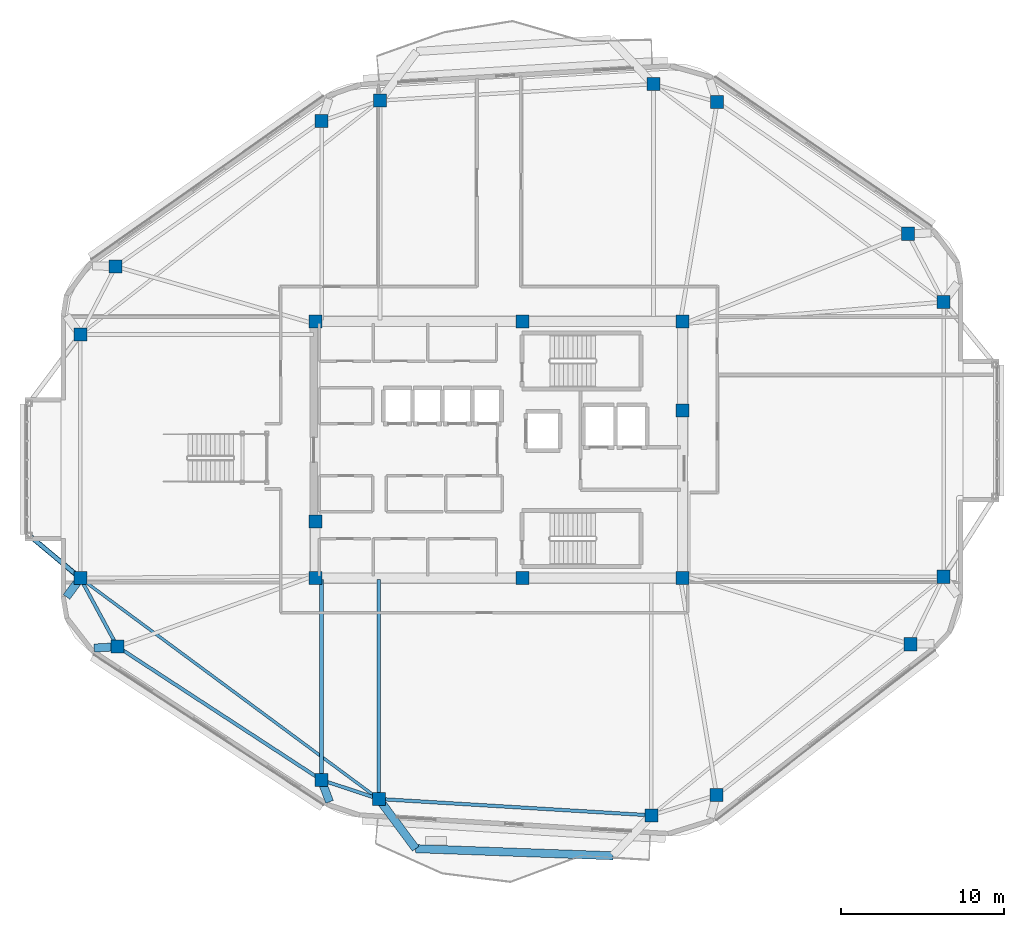
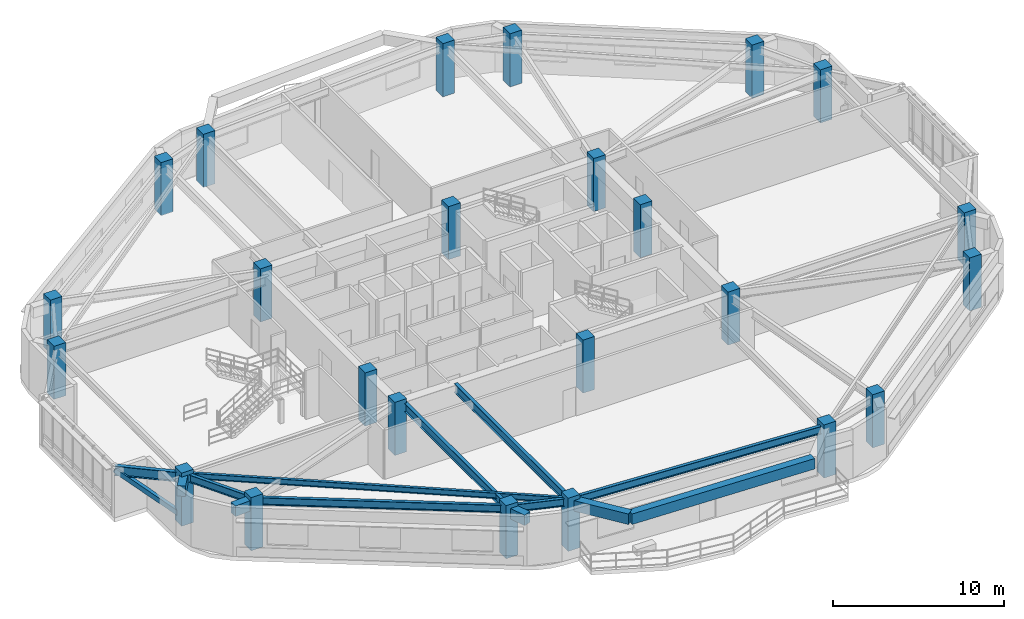
# One storey, part 1 of 18: 24 columns, 13 beams, 1 member.
"""IFC4 building model written with IfcOpenShell, lengths in metres."""

import ifcopenshell
import ifcopenshell.guid

model = None  # the IFC model being written
_history = None  # IfcOwnerHistory: only IFC2X3 demands one
_inside = {}  # id of a spatial element -> (the spatial element, [elements in it])
_under = {}  # id of a project, library or spatial element -> (it, [spatial elements below it])
_declared = {}  # id of a project -> (the project, [libraries it declares])
_typed = {}  # id of a type object -> (the type object, [elements of that type])
_made_of = {}  # id of a material, layer set ... -> (it, [elements and type objects made of it])


def new_model(schema):
    """Start an empty IFC model of exactly this schema.

    Asked for "IFC4X3", IfcOpenShell would pick the latest addendum, in which some entities
    have other attributes; the version numbers below select the first issue.
    IFC2X3 requires an IfcOwnerHistory on every rooted entity: one is made here for all.
    """
    global model, _history
    if schema == "IFC4X3":
        model = ifcopenshell.file(schema_version=(4, 3, 0, 0))
    else:
        model = ifcopenshell.file(schema=schema)
    _inside.clear()
    _under.clear()
    _declared.clear()
    _typed.clear()
    _made_of.clear()
    _history = None
    if model.schema == "IFC2X3":
        org = make("IfcOrganization", Name="unknown")
        user = make(
            "IfcPersonAndOrganization",
            ThePerson=make("IfcPerson", FamilyName="unknown"),
            TheOrganization=org,
        )
        app = make(
            "IfcApplication",
            ApplicationDeveloper=org,
            Version="unknown",
            ApplicationFullName="unknown",
            ApplicationIdentifier="unknown",
        )
        _history = make(
            "IfcOwnerHistory",
            OwningUser=user,
            OwningApplication=app,
            ChangeAction="ADDED",
            CreationDate=0,
        )
    return model


def make(cls, **values):
    """One entity of the class cls with the attributes given. An attribute that is None is left unset."""
    return model.create_entity(
        cls, **{name: value for name, value in values.items() if value is not None}
    )


def rooted(cls, **values):
    """An entity with a GlobalId (a new one), such as an element, a storey or a relation."""
    return make(cls, GlobalId=ifcopenshell.guid.new(), OwnerHistory=_history, **values)


def si_unit(unit_type, name, prefix=None):
    """IfcSIUnit, for example si_unit("LENGTHUNIT", "METRE", prefix="MILLI")."""
    return make("IfcSIUnit", UnitType=unit_type, Prefix=prefix, Name=name)


def assignment(units):
    """IfcUnitAssignment: the units of a project."""
    return None if units is None else make("IfcUnitAssignment", Units=units)


def point(xyz):
    """IfcCartesianPoint."""
    return None if xyz is None else make("IfcCartesianPoint", Coordinates=xyz)


def direction(xyz):
    """IfcDirection."""
    return None if xyz is None else make("IfcDirection", DirectionRatios=xyz)


def frame(location, z_axis=None, x_axis=None):
    """IfcAxis2Placement3D, a coordinate frame: its origin and axes. An axis left out is left unset."""
    return make(
        "IfcAxis2Placement3D",
        Location=point(location),
        Axis=direction(z_axis),
        RefDirection=direction(x_axis),
    )


def frame_2d(location, x_axis=None):
    """IfcAxis2Placement2D, a coordinate frame in the plane: its origin and x axis."""
    return make(
        "IfcAxis2Placement2D", Location=point(location), RefDirection=direction(x_axis)
    )


def origin():
    """The frame at (0, 0, 0) with its axes left unset."""
    return frame((0.0, 0.0, 0.0))


def origin_2d():
    """The frame at (0, 0) in the plane with its x axis left unset."""
    return frame_2d((0.0, 0.0))


def place(relative_to, where):
    """IfcLocalPlacement: puts the frame where relative to a parent placement (None: the world)."""
    return make(
        "IfcLocalPlacement", PlacementRelTo=relative_to, RelativePlacement=where
    )


def context(
    kind, dimensions, precision=None, world=None, true_north=None, identifier=None
):
    """IfcGeometricRepresentationContext, for example the 3D "Model" context."""
    return make(
        "IfcGeometricRepresentationContext",
        ContextIdentifier=identifier,
        ContextType=kind,
        CoordinateSpaceDimension=dimensions,
        Precision=precision,
        WorldCoordinateSystem=world,
        TrueNorth=true_north,
    )


def subcontext(parent, identifier, kind, view, scale=None):
    """IfcGeometricRepresentationSubContext, for example "Body" below "Model"."""
    return make(
        "IfcGeometricRepresentationSubContext",
        ContextIdentifier=identifier,
        ContextType=kind,
        ParentContext=parent,
        TargetScale=scale,
        TargetView=view,
    )


def project(units=None, contexts=None):
    """IfcProject with its units and contexts."""
    return rooted(
        "IfcProject",
        Name="project",
        RepresentationContexts=contexts,
        UnitsInContext=assignment(units),
    )


def spatial(cls, under=None, at=None, **own):
    """A site, building, storey or space (cls), placed at a placement, below another one or the project."""
    s = rooted(cls, ObjectPlacement=at, **own)
    if under is not None:
        _under.setdefault(under.id(), (under, []))[1].append(s)
    return s


def profile(cls, at=None, kind="AREA", **sizes):
    """A parametric profile (cls). Its sizes go by their IFC names, for example OverallWidth=200.0."""
    return make(cls, ProfileType=kind, Position=at, **sizes)


def rectangle(**sizes):
    """IfcRectangleProfileDef."""
    return profile("IfcRectangleProfileDef", **sizes)


def hollow_rectangle(**sizes):
    """IfcRectangleHollowProfileDef."""
    return profile("IfcRectangleHollowProfileDef", **sizes)


def i_section(**sizes):
    """IfcIShapeProfileDef."""
    return profile("IfcIShapeProfileDef", **sizes)


def extrude(swept, where, along, depth):
    """IfcExtrudedAreaSolid: the profile swept, set in the frame where, extruded along a direction by depth."""
    return make(
        "IfcExtrudedAreaSolid",
        SweptArea=swept,
        Position=where,
        ExtrudedDirection=direction(along),
        Depth=depth,
    )


def shape(context_of_items, identifier, shape_type, items):
    """IfcShapeRepresentation: the items that make up one representation, for example the "Body"."""
    return make(
        "IfcShapeRepresentation",
        ContextOfItems=context_of_items,
        RepresentationIdentifier=identifier,
        RepresentationType=shape_type,
        Items=items,
    )


def material(Name=None, Category=None):
    """IfcMaterial."""
    return make("IfcMaterial", Name=Name, Category=Category)


def material_profile(
    of_material, cross_section, Name=None, Category=None, Priority=None
):
    """IfcMaterialProfile: a cross section and its material."""
    return make(
        "IfcMaterialProfile",
        Name=Name,
        Material=of_material,
        Profile=cross_section,
        Priority=Priority,
        Category=Category,
    )


def profile_set(profiles, Name=None, composite=None):
    """IfcMaterialProfileSet."""
    return make(
        "IfcMaterialProfileSet",
        Name=Name,
        MaterialProfiles=profiles,
        CompositeProfile=composite,
    )


def made_of(thing, what):
    """Note that an element or type object is made of a material, layer set ...; save() writes the relation."""
    if what is not None:
        _made_of.setdefault(what.id(), (what, []))[1].append(thing)
    return thing


def type_object(cls, material=None, **own):
    """A type object (cls), such as IfcWallType, which elements share."""
    return made_of(rooted(cls, **own), material)


def element(
    cls,
    number,
    at=None,
    inside=None,
    cuts=None,
    type_object=None,
    material=None,
    context=None,
    identifier="Body",
    shape_type=None,
    held_by="IfcProductDefinitionShape",
    body=None,
    shapes=None,
    **own,
):
    """One element of the class cls, such as IfcWall. Its Tag is "e" and its number.

    at: its placement. inside: the storey or other place that contains it. cuts: it is an
    opening in that element (IfcRelVoidsElement). A single representation is given by context,
    identifier, shape_type and body (its items); several are given by shapes. held_by: the class
    of the entity that holds the representations. save() writes the other relations.
    """
    e = rooted(cls, Tag="e%d" % number, ObjectPlacement=at, **own)
    if body is not None:
        shapes = [shape(context, identifier, shape_type, body)]
    if shapes is not None:
        e.Representation = make(held_by, Representations=shapes)
    if inside is not None:
        _inside.setdefault(inside.id(), (inside, []))[1].append(e)
    if cuts is not None:
        rooted(
            "IfcRelVoidsElement", RelatingBuildingElement=cuts, RelatedOpeningElement=e
        )
    if type_object is not None:
        _typed.setdefault(type_object.id(), (type_object, []))[1].append(e)
    return made_of(e, material)


def aggregate(whole, parts):
    """IfcRelAggregates: a whole, such as a stair, and the parts it consists of."""
    return rooted("IfcRelAggregates", RelatingObject=whole, RelatedObjects=parts)


def save(model, path):
    """Write the relations noted so far, then the file.

    IfcRelAggregates (storeys below a building ...), IfcRelContainedInSpatialStructure (elements
    in a storey), IfcRelDefinesByType, IfcRelAssociatesMaterial and IfcRelDeclares: one each for
    every whole, place, type object, material and project.
    """
    for whole, parts in _under.values():
        aggregate(whole, parts)
    for where, things in _inside.values():
        rooted(
            "IfcRelContainedInSpatialStructure",
            RelatedElements=things,
            RelatingStructure=where,
        )
    for kind, things in _typed.values():
        rooted("IfcRelDefinesByType", RelatedObjects=things, RelatingType=kind)
    for what, things in _made_of.values():
        rooted("IfcRelAssociatesMaterial", RelatedObjects=things, RelatingMaterial=what)
    for by, libraries in _declared.values():
        rooted("IfcRelDeclares", RelatingContext=by, RelatedDefinitions=libraries)
    model.write(path)


model = new_model("IFC4")

# Units and contexts
model_context = context("Model", 3, precision=1e-05, world=origin(), true_north=direction((0.0, 1.0)))
body_context = subcontext(model_context, "Body", "Model", "MODEL_VIEW")
ifc_project = project(units=[si_unit("LENGTHUNIT", "METRE"), si_unit("AREAUNIT", "SQUARE_METRE"), si_unit("VOLUMEUNIT", "CUBIC_METRE"), si_unit("PLANEANGLEUNIT", "RADIAN"), si_unit("MASSUNIT", "GRAM", prefix="KILO")], contexts=[model_context])

# Site, building, storey
site_placement = place(None, origin())
site = spatial("IfcSite", under=ifc_project, at=site_placement, CompositionType="ELEMENT")
building_placement = place(site_placement, origin())
building = spatial("IfcBuilding", under=site, at=building_placement, Name="Zulverin Broadcast Headquarters", CompositionType="ELEMENT")
storey_placement = place(building_placement, frame((0.0, 0.0, 225.0)))
storey = spatial("IfcBuildingStorey", under=building, at=storey_placement, Name="L57", CompositionType="ELEMENT", Elevation=225.0)

# Columns
ifc_material_1 = material(Name="Concrete C50/60", Category="concrete")
ifc_material_profile_1 = material_profile(ifc_material_1, rectangle(XDim=0.800048828125, YDim=0.800048828125, at=origin_2d()), Name="Concrete C50/60", Category="concrete")
ifc_profile_set_1 = profile_set([ifc_material_profile_1], Name="Concrete C50/60")
column_type_1 = type_object("IfcColumnType", Name="COL-RC-800", PredefinedType="COLUMN", material=ifc_profile_set_1)
for number, where, z_axis, x_axis, name in (
    (1, (29.6220703125, 3.763671875, 0.0), (0.0, 0.0, 1.0), (1.0, 0.0, 0.0), "L57 Perimeter Column T01"),
    (2, (46.3515625, 2.759521484375, 0.0), (0.0, 0.0, 1.0), (1.0, 0.0, 0.0), "L57 Perimeter Column T02"),
    (3, (50.361083984375, 4.001708984375, 0.0), (0.0, 0.0, 1.0), (1.0, 0.0, 0.0), "L57 Perimeter Column T03"),
    (4, (62.272216796875, 13.262451171875, 0.0), (0.0, 0.0, 1.0), (1.0, 0.0, 0.0), "L57 Perimeter Column T04"),
    (5, (64.300048828125, 17.40771484375, 0.0), (0.0, 0.0, 1.0), (1.0, 0.0, 0.0), "L57 Perimeter Column T05"),
    (6, (64.300048828125, 34.275634765625, 0.0), (0.0, 0.0, 1.0), (1.0, 0.0, 0.0), "L57 Perimeter Column T06"),
    (7, (62.102783203125, 38.465087890625, 0.0), (0.0, 0.0, 1.0), (1.0, 0.0, 0.0), "L57 Perimeter Column T07"),
    (8, (50.39794921875, 46.554443359375, 0.0), (0.0, 0.0, 1.0), (1.0, 0.0, 0.0), "L57 Perimeter Column T08"),
    (9, (46.4814453125, 47.6484375, 0.0), (0.0, 0.0, 1.0), (1.0, 0.0, 0.0), "L57 Perimeter Column T09"),
    (10, (29.70068359375, 46.64111328125, 0.0), (0.0, 0.0, 1.0), (1.0, 0.0, 0.0), "L57 Perimeter Column T10"),
    (11, (26.11474609375, 45.383544921875, 0.0), (0.0, 0.0, 1.0), (1.0, 0.0, 0.0), "L57 Perimeter Column T11"),
    (12, (13.46728515625, 36.457763671875, 0.0), (0.0, 0.0, 1.0), (1.0, 0.0, 0.0), "L57 Perimeter Column T12"),
    (13, (11.300048828125, 32.275390625, 0.0), (0.0, 0.0, 1.0), (1.0, 0.0, 0.0), "L57 Perimeter Column T13"),
    (14, (11.300048828125, 17.318603515625, 0.0), (0.0, 0.0, 1.0), (1.0, 0.0, 0.0), "L57 Perimeter Column T14"),
    (15, (13.576416015625, 13.11181640625, 0.0), (0.0, 0.0, 1.0), (1.0, 0.0, 0.0), "L57 Perimeter Column T15"),
    (16, (26.098876953125, 4.9287109375, 0.0), (0.0, 0.0, 1.0), (1.0, 0.0, 0.0), "L57 Perimeter Column T16"),
):
    element("IfcColumn", number, at=place(storey_placement, frame(where, z_axis=z_axis, x_axis=x_axis)), inside=storey, type_object=column_type_1, Name=name, PredefinedType="COLUMN", context=body_context, shape_type="SweptSolid", body=[
        extrude(rectangle(XDim=0.800048828125, YDim=0.800048828125, at=origin_2d()), origin(), (0.0, 0.0, 1.0), 3.800048828125),
    ])
ifc_material_profile_2 = material_profile(ifc_material_1, rectangle(XDim=0.800048828125, YDim=0.800048828125, at=origin_2d()), Name="Concrete C50/60", Category="concrete")
ifc_profile_set_2 = profile_set([ifc_material_profile_2], Name="Concrete C50/60")
column_type_2 = type_object("IfcColumnType", Name="PIL-RC-800", PredefinedType="PILASTER", material=ifc_profile_set_2)
for number, where, z_axis, x_axis, name in (
    (17, (25.72509765625, 17.324951171875, 0.0), (0.0, 0.0, 1.0), (1.0, 0.0, 0.0), "L57 Core Pilaster K01"),
    (18, (38.449951171875, 17.324951171875, 0.0), (0.0, 0.0, 1.0), (1.0, 0.0, 0.0), "L57 Core Pilaster K02"),
    (19, (48.27490234375, 17.324951171875, 0.0), (0.0, 0.0, 1.0), (1.0, 0.0, 0.0), "L57 Core Pilaster K03"),
    (20, (48.27490234375, 27.6201171875, 0.0), (0.0, 0.0, 1.0), (1.0, 0.0, 0.0), "L57 Core Pilaster K04"),
    (21, (48.27490234375, 33.074951171875, 0.0), (0.0, 0.0, 1.0), (1.0, 0.0, 0.0), "L57 Core Pilaster K05"),
    (22, (38.449951171875, 33.074951171875, 0.0), (0.0, 0.0, 1.0), (1.0, 0.0, 0.0), "L57 Core Pilaster K06"),
    (23, (25.72509765625, 33.074951171875, 0.0), (0.0, 0.0, 1.0), (1.0, 0.0, 0.0), "L57 Core Pilaster K07"),
    (24, (25.72509765625, 20.800048828125, 0.0), (0.0, 0.0, 1.0), (1.0, 0.0, 0.0), "L57 Core Pilaster K08"),
):
    element("IfcColumn", number, at=place(storey_placement, frame(where, z_axis=z_axis, x_axis=x_axis)), inside=storey, type_object=column_type_2, Name=name, PredefinedType="PILASTER", context=body_context, shape_type="SweptSolid", body=[
        extrude(rectangle(XDim=0.800048828125, YDim=0.800048828125, at=origin_2d()), origin(), (0.0, 0.0, 1.0), 3.800048828125),
    ])

# Beams
ifc_material_2 = material(Name="Concrete C40/50", Category="concrete")
ifc_material_profile_3 = material_profile(ifc_material_2, rectangle(XDim=0.5, YDim=0.75, at=origin_2d()), Name="Concrete C40/50", Category="concrete")
ifc_profile_set_3 = profile_set([ifc_material_profile_3], Name="Concrete C40/50")
beam_type_1 = type_object("IfcBeamType", Name="BM-RC-500x750", PredefinedType="BEAM", material=ifc_profile_set_3)
beam_1_placement = place(storey_placement, frame((11.300048828125, 17.318603515625, 3.135009765625), z_axis=(-0.594467864193, -0.804119368279, 0.0), x_axis=(0.804119368279, -0.594467864193, 0.0)))
element("IfcBeam", 25, at=beam_1_placement, inside=storey, type_object=beam_type_1, Name="L58 Plate Overhang Back-Spanned Beam OVR-14", PredefinedType="BEAM", context=body_context, shape_type="SweptSolid", body=[
    extrude(rectangle(XDim=0.5, YDim=0.75, at=origin_2d()), origin(), (0.0, 0.0, 1.0), 1.429931640625),
])
beam_2_placement = place(storey_placement, frame((13.576416015625, 13.11181640625, 3.135009765625), z_axis=(-0.998333895448, -0.057701240879, 0.0), x_axis=(0.057701240879, -0.998333895448, 0.0)))
element("IfcBeam", 26, at=beam_2_placement, inside=storey, type_object=beam_type_1, Name="L58 Plate Overhang Back-Spanned Beam OVR-15", PredefinedType="BEAM", context=body_context, shape_type="SweptSolid", body=[
    extrude(rectangle(XDim=0.5, YDim=0.75, at=origin_2d()), origin(), (0.0, 0.0, 1.0), 1.43017578125),
])
beam_3_placement = place(storey_placement, frame((26.098876953125, 4.9287109375, 3.135009765625), z_axis=(0.348109371259, -0.93745392721, 0.0), x_axis=(0.93745392721, 0.348109371259, 0.0)))
element("IfcBeam", 27, at=beam_3_placement, inside=storey, type_object=beam_type_1, Name="L58 Plate Overhang Back-Spanned Beam OVR-16", PredefinedType="BEAM", context=body_context, shape_type="SweptSolid", body=[
    extrude(rectangle(XDim=0.5, YDim=0.75, at=origin_2d()), origin(), (0.0, 0.0, 1.0), 1.429931640625),
])
beam_4_placement = place(storey_placement, frame((29.6220703125, 3.763671875, 3.135009765625), z_axis=(0.596540448304, -0.802583013486, 0.0), x_axis=(0.802583013486, 0.596540448304, 0.0)))
element("IfcBeam", 28, at=beam_4_placement, inside=storey, type_object=beam_type_1, Name="L58 Balcony Column-Framed Cantilever BAL_S-1", PredefinedType="BEAM", context=body_context, shape_type="SweptSolid", body=[
    extrude(rectangle(XDim=0.5, YDim=0.75, at=origin_2d()), origin(), (0.0, 0.0, 1.0), 3.800048828125),
])
beam_5_placement = place(storey_placement, frame((31.888916015625, 0.7138671875, 3.135009765625), z_axis=(0.999346968233, -0.036133600477, 0.0), x_axis=(0.036133600477, 0.999346968233, 0.0)))
element("IfcBeam", 29, at=beam_5_placement, inside=storey, type_object=beam_type_1, Name="L58 Balcony Outer Edge Trimmer Beam BAL_S", PredefinedType="BEAM", context=body_context, shape_type="SweptSolid", body=[
    extrude(rectangle(XDim=0.5, YDim=0.75, at=origin_2d()), origin(), (0.0, 0.0, 1.0), 12.114501953125),
])
ifc_material_3 = material(Name="Structural steel S355JR", Category="steel")
ifc_material_profile_4 = material_profile(ifc_material_3, i_section(OverallWidth=0.179443359375, OverallDepth=0.412841796875, WebThickness=0.009521484375, FlangeThickness=0.01611328125, at=origin_2d()), Name="Structural steel S355JR", Category="steel")
ifc_profile_set_4 = profile_set([ifc_material_profile_4], Name="Structural steel S355JR")
beam_type_2 = type_object("IfcBeamType", Name="BM-UB-406", PredefinedType="JOIST", material=ifc_profile_set_4)
beam_6_placement = place(storey_placement, frame((11.300048828125, 17.318603515625, 3.3037109375), z_axis=(0.803912476144, -0.594747619332, 0.0), x_axis=(0.594747619332, 0.803912476144, 0.0)))
element("IfcBeam", 30, at=beam_6_placement, inside=storey, type_object=beam_type_2, Name="L57 Chordal Floor Joist J-04", PredefinedType="JOIST", context=body_context, shape_type="SweptSolid", body=[
    extrude(i_section(OverallWidth=0.179443359375, OverallDepth=0.412841796875, WebThickness=0.009521484375, FlangeThickness=0.01611328125, at=origin_2d()), origin(), (0.0, 0.0, 1.0), 22.791015625),
])
ifc_material_profile_5 = material_profile(ifc_material_3, i_section(OverallWidth=0.2119140625, OverallDepth=0.54443359375, WebThickness=0.0126953125, FlangeThickness=0.021240234375, at=origin_2d()), Name="Structural steel S355JR", Category="steel")
ifc_profile_set_5 = profile_set([ifc_material_profile_5], Name="Structural steel S355JR")
beam_type_3 = type_object("IfcBeamType", Name="BM-UB-533", PredefinedType="SPANDREL", material=ifc_profile_set_5)
beam_7_placement = place(storey_placement, frame((29.6220703125, 3.763671875, 3.23779296875), z_axis=(0.998203486609, -0.059914934044, 0.0), x_axis=(0.059914934044, 0.998203486609, 0.0)))
element("IfcBeam", 31, at=beam_7_placement, inside=storey, type_object=beam_type_3, Name="L57 Perimeter Spandrel Beam SP-01", PredefinedType="SPANDREL", context=body_context, shape_type="SweptSolid", body=[
    extrude(i_section(OverallWidth=0.2119140625, OverallDepth=0.54443359375, WebThickness=0.0126953125, FlangeThickness=0.021240234375, at=origin_2d()), origin(), (0.0, 0.0, 1.0), 16.759521484375),
])
beam_8_placement = place(storey_placement, frame((11.300048828125, 17.318603515625, 3.23779296875), z_axis=(0.475909852672, -0.879494066, 0.0), x_axis=(0.879494066, 0.475909852672, 0.0)))
element("IfcBeam", 32, at=beam_8_placement, inside=storey, type_object=beam_type_3, Name="L57 Perimeter Spandrel Beam SP-14", PredefinedType="SPANDREL", context=body_context, shape_type="SweptSolid", body=[
    extrude(i_section(OverallWidth=0.2119140625, OverallDepth=0.54443359375, WebThickness=0.0126953125, FlangeThickness=0.021240234375, at=origin_2d()), origin(), (0.0, 0.0, 1.0), 4.783203125),
])
beam_9_placement = place(storey_placement, frame((13.576416015625, 13.11181640625, 3.23779296875), z_axis=(0.837112191398, -0.547031241349, 0.0), x_axis=(0.547031241349, 0.837112191398, 0.0)))
element("IfcBeam", 33, at=beam_9_placement, inside=storey, type_object=beam_type_3, Name="L57 Perimeter Spandrel Beam SP-15", PredefinedType="SPANDREL", context=body_context, shape_type="SweptSolid", body=[
    extrude(i_section(OverallWidth=0.2119140625, OverallDepth=0.54443359375, WebThickness=0.0126953125, FlangeThickness=0.021240234375, at=origin_2d()), origin(), (0.0, 0.0, 1.0), 14.959228515625),
])
beam_10_placement = place(storey_placement, frame((26.098876953125, 4.9287109375, 3.23779296875), z_axis=(0.949437184981, -0.313957054031, 0.0), x_axis=(0.313957054031, 0.949437184981, 0.0)))
element("IfcBeam", 34, at=beam_10_placement, inside=storey, type_object=beam_type_3, Name="L57 Perimeter Spandrel Beam SP-16", PredefinedType="SPANDREL", context=body_context, shape_type="SweptSolid", body=[
    extrude(i_section(OverallWidth=0.2119140625, OverallDepth=0.54443359375, WebThickness=0.0126953125, FlangeThickness=0.021240234375, at=origin_2d()), origin(), (0.0, 0.0, 1.0), 3.7109375),
])
ifc_material_profile_6 = material_profile(ifc_material_3, i_section(OverallWidth=0.230224609375, OverallDepth=0.6171875, WebThickness=0.01318359375, FlangeThickness=0.022216796875, at=origin_2d()), Name="Structural steel S355JR", Category="steel")
ifc_profile_set_6 = profile_set([ifc_material_profile_6], Name="Structural steel S355JR")
beam_type_4 = type_object("IfcBeamType", Name="BM-UB-610", PredefinedType="BEAM", material=ifc_profile_set_6)
beam_11_placement = place(storey_placement, frame((29.6220703125, 17.22509765625, 3.201416015625), z_axis=(0.0, -1.0, 0.0), x_axis=(1.0, 0.0, 0.0)))
element("IfcBeam", 35, at=beam_11_placement, inside=storey, type_object=beam_type_4, Name="L57 Radial Primary Floor Beam RB-01", PredefinedType="BEAM", context=body_context, shape_type="SweptSolid", body=[
    extrude(i_section(OverallWidth=0.230224609375, OverallDepth=0.6171875, WebThickness=0.01318359375, FlangeThickness=0.022216796875, at=origin_2d()), origin(), (0.0, 0.0, 1.0), 13.46142578125),
])
beam_12_placement = place(storey_placement, frame((26.098876953125, 17.22509765625, 3.201416015625), z_axis=(0.0, -1.0, 0.0), x_axis=(1.0, 0.0, 0.0)))
element("IfcBeam", 36, at=beam_12_placement, inside=storey, type_object=beam_type_4, Name="L57 Radial Primary Floor Beam RB-16", PredefinedType="BEAM", context=body_context, shape_type="SweptSolid", body=[
    extrude(i_section(OverallWidth=0.230224609375, OverallDepth=0.6171875, WebThickness=0.01318359375, FlangeThickness=0.022216796875, at=origin_2d()), origin(), (0.0, 0.0, 1.0), 12.29638671875),
])
ifc_material_profile_7 = material_profile(ifc_material_3, i_section(OverallWidth=0.255859375, OverallDepth=0.69287109375, WebThickness=0.014404296875, FlangeThickness=0.023681640625, at=origin_2d()), Name="Structural steel S355JR", Category="steel")
ifc_profile_set_7 = profile_set([ifc_material_profile_7], Name="Structural steel S355JR")
beam_type_5 = type_object("IfcBeamType", Name="BM-UB-686", PredefinedType="BEAM", material=ifc_profile_set_7)
beam_13_placement = place(storey_placement, frame((11.300048828125, 17.318603515625, 3.16357421875), z_axis=(-0.766275484309, 0.64251216498, 0.0), x_axis=(-0.64251216498, -0.766275484309, 0.0)))
element("IfcBeam", 37, at=beam_13_placement, inside=storey, type_object=beam_type_5, Name="L57 Studio Box Cantilever Girder SBOX_SKY2_W-1", PredefinedType="BEAM", context=body_context, shape_type="SweptSolid", body=[
    extrude(i_section(OverallWidth=0.255859375, OverallDepth=0.69287109375, WebThickness=0.014404296875, FlangeThickness=0.023681640625, at=origin_2d()), origin(), (0.0, 0.0, 1.0), 4.111083984375),
])

# Member
ifc_material_profile_8 = material_profile(ifc_material_3, hollow_rectangle(XDim=0.300048828125, YDim=0.300048828125, WallThickness=0.01611328125, at=origin_2d()), Name="Structural steel S355JR", Category="steel")
ifc_profile_set_8 = profile_set([ifc_material_profile_8], Name="Structural steel S355JR")
member_type = type_object("IfcMemberType", Name="MBR-BLT-DIAG1", PredefinedType="BRACE", material=ifc_profile_set_8)
member_placement = place(storey_placement, frame((11.300048828125, 17.318603515625, 0.35009765625), z_axis=(-0.62903607956, 0.527438684396, 0.571070963029), x_axis=(-0.64251216498, -0.766275484309, 0.0)))
element("IfcMember", 38, at=member_placement, inside=storey, type_object=member_type, Name="L57 Studio Box Raking Knee Brace SBOX_SKY2_W-1", PredefinedType="BRACE", context=body_context, shape_type="SweptSolid", body=[
    extrude(hollow_rectangle(XDim=0.300048828125, YDim=0.300048828125, WallThickness=0.01611328125, at=origin_2d()), origin(), (0.0, 0.0, 1.0), 5.0078125),
])

save(model, "model.ifc")
